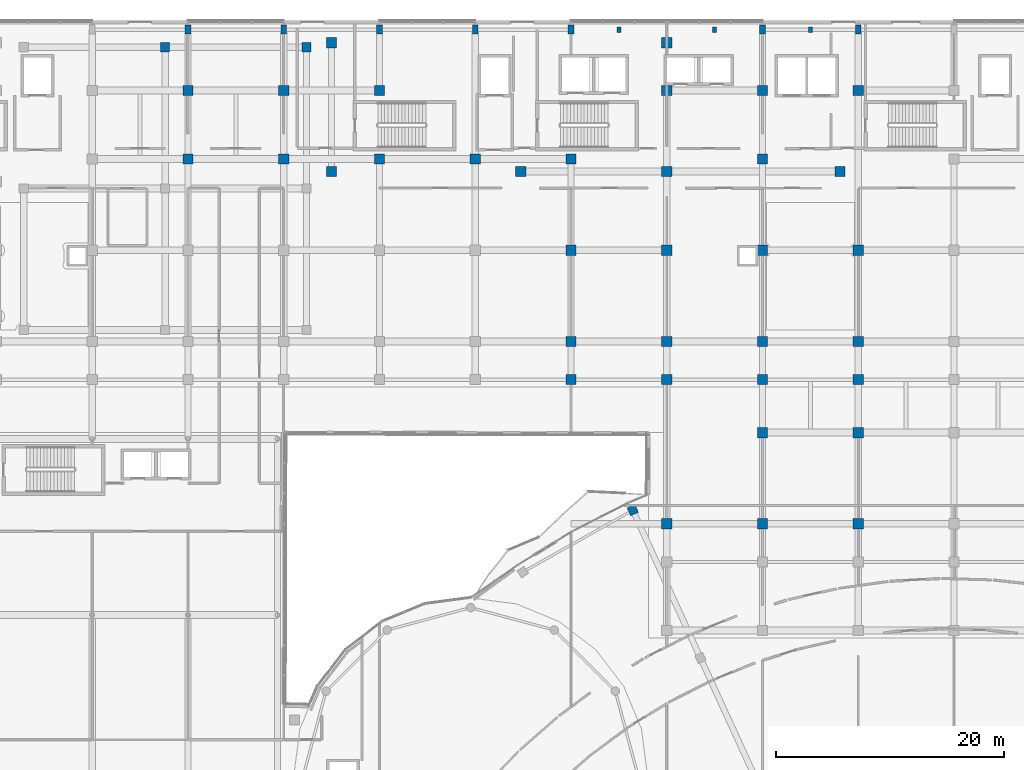
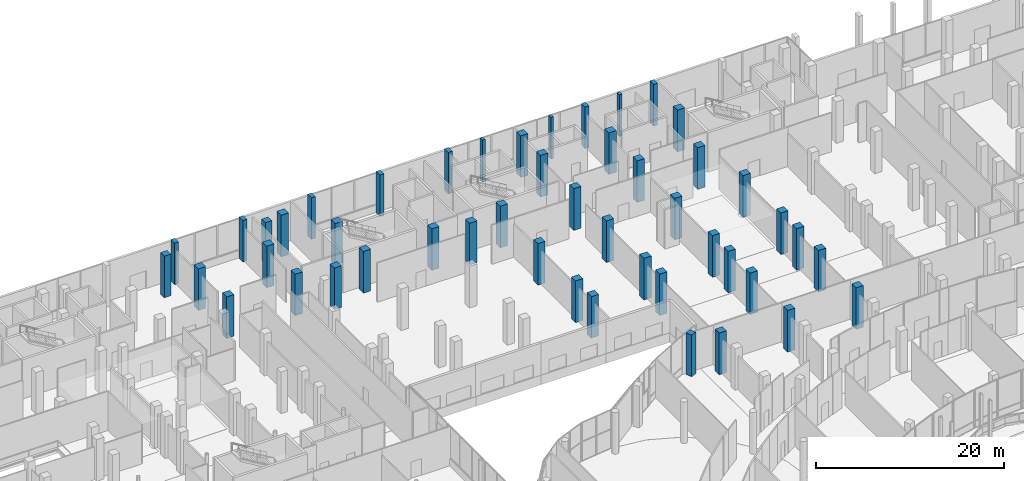
# One storey, part 12 of 158: 48 columns.
"""IFC4 building model written with IfcOpenShell, lengths in metres."""

from ifc_helpers import new_model, si_unit, direction, frame, origin, origin_2d, place, context, subcontext, project, spatial, rectangle, extrude, material, material_profile, profile_set, type_object, element, save


model = new_model("IFC4")

# Units and contexts
model_context = context("Model", 3, precision=1e-05, world=origin(), true_north=direction((0.0, 1.0)))
body_context = subcontext(model_context, "Body", "Model", "MODEL_VIEW")
ifc_project = project(units=[si_unit("LENGTHUNIT", "METRE"), si_unit("AREAUNIT", "SQUARE_METRE"), si_unit("VOLUMEUNIT", "CUBIC_METRE"), si_unit("PLANEANGLEUNIT", "RADIAN"), si_unit("MASSUNIT", "GRAM", prefix="KILO")], contexts=[model_context])

# Site, building, storey
site_placement = place(None, origin())
site = spatial("IfcSite", under=ifc_project, at=site_placement, CompositionType="ELEMENT")
building_placement = place(site_placement, origin())
building = spatial("IfcBuilding", under=site, at=building_placement, Name="Selatvlak General Hospital", CompositionType="ELEMENT")
storey_placement = place(building_placement, origin())
storey = spatial("IfcBuildingStorey", under=building, at=storey_placement, Name="L00", CompositionType="ELEMENT", Elevation=0.0)

# Columns
ifc_material_1 = material(Name="Concrete C40/50", Category="concrete")
ifc_material_profile_1 = material_profile(ifc_material_1, rectangle(XDim=0.35009765625, YDim=0.5, at=origin_2d()), Name="RC-PIL 500x350")
ifc_profile_set_1 = profile_set([ifc_material_profile_1], Name="Concrete C40/50")
column_type_1 = type_object("IfcColumnType", Name="COL-PIL50", PredefinedType="PILASTER", material=ifc_profile_set_1)
for number, where, z_axis, x_axis, name in (
    (1, (111.0, 119.35009765625, 0.0), (0.0, 0.0, 1.0), (1.0, 0.0, 0.0), "Inboard core pilaster 3 on L00"),
    (2, (119.39990234375, 119.35009765625, 0.0), (0.0, 0.0, 1.0), (1.0, 0.0, 0.0), "Inboard core pilaster 4 on L00"),
    (3, (127.800048828125, 119.35009765625, 0.0), (0.0, 0.0, 1.0), (1.0, 0.0, 0.0), "Inboard core pilaster 5 on L00"),
):
    element("IfcColumn", number, at=place(storey_placement, frame(where, z_axis=z_axis, x_axis=x_axis)), inside=storey, type_object=column_type_1, Name=name, PredefinedType="PILASTER", context=body_context, shape_type="SweptSolid", body=[
        extrude(rectangle(XDim=0.35009765625, YDim=0.5, at=origin_2d()), origin(), (0.0, 0.0, 1.0), 5.39990234375),
    ])
ifc_material_2 = material(Name="Concrete C50/60", Category="concrete")
ifc_material_profile_2 = material_profile(ifc_material_2, rectangle(XDim=0.75, YDim=0.75, at=origin_2d()), Name="RC-COL 750x750")
ifc_profile_set_2 = profile_set([ifc_material_profile_2], Name="Concrete C50/60")
column_type_2 = type_object("IfcColumnType", Name="COL-RC75", PredefinedType="COLUMN", material=ifc_profile_set_2)
column_placement = place(storey_placement, frame((112.221923828125, 77.195068359375, 0.0), z_axis=(0.0, 0.0, 1.0), x_axis=(-0.416201444857, 0.909272432937, 0.0)))
element("IfcColumn", 4, at=column_placement, inside=storey, type_object=column_type_2, Name="Column 342 on L00", PredefinedType="COLUMN", context=body_context, shape_type="SweptSolid", body=[
    extrude(rectangle(XDim=0.75, YDim=0.75, at=origin_2d()), origin(), (0.0, 0.0, 1.0), 5.39990234375),
])
ifc_material_profile_3 = material_profile(ifc_material_2, rectangle(XDim=0.800048828125, YDim=0.800048828125, at=origin_2d()), Name="RC-COL 800x800")
ifc_profile_set_3 = profile_set([ifc_material_profile_3], Name="Concrete C50/60")
column_type_3 = type_object("IfcColumnType", Name="COL-RC80", PredefinedType="COLUMN", material=ifc_profile_set_3)
for number, where, z_axis, x_axis, name in (
    (5, (71.199951171875, 117.800048828125, 0.0), (0.0, 0.0, 1.0), (1.0, 0.0, 0.0), "Column 042 on L00"),
    (6, (83.60009765625, 117.800048828125, 0.0), (0.0, 0.0, 1.0), (1.0, 0.0, 0.0), "Column 045 on L00"),
):
    element("IfcColumn", number, at=place(storey_placement, frame(where, z_axis=z_axis, x_axis=x_axis)), inside=storey, type_object=column_type_3, Name=name, PredefinedType="COLUMN", context=body_context, shape_type="SweptSolid", body=[
        extrude(rectangle(XDim=0.800048828125, YDim=0.800048828125, at=origin_2d()), origin(), (0.0, 0.0, 1.0), 5.39990234375),
    ])
ifc_material_profile_4 = material_profile(ifc_material_2, rectangle(XDim=0.5, YDim=0.800048828125, at=origin_2d()), Name="RC-COL 800x500")
ifc_profile_set_4 = profile_set([ifc_material_profile_4], Name="Concrete C50/60")
column_type_4 = type_object("IfcColumnType", Name="COL-RC85", PredefinedType="COLUMN", material=ifc_profile_set_4)
for number, where, z_axis, x_axis, name in (
    (7, (73.199951171875, 119.35009765625, 0.0), (0.0, 0.0, 1.0), (1.0, 0.0, 0.0), "Column 197 on L00"),
    (8, (81.60009765625, 119.35009765625, 0.0), (0.0, 0.0, 1.0), (1.0, 0.0, 0.0), "Column 206 on L00"),
    (9, (90.0, 119.35009765625, 0.0), (0.0, 0.0, 1.0), (1.0, 0.0, 0.0), "Column 215 on L00"),
    (10, (98.39990234375, 119.35009765625, 0.0), (0.0, 0.0, 1.0), (1.0, 0.0, 0.0), "Column 222 on L00"),
    (11, (106.800048828125, 119.35009765625, 0.0), (0.0, 0.0, 1.0), (1.0, 0.0, 0.0), "Column 228 on L00"),
    (12, (123.60009765625, 119.35009765625, 0.0), (0.0, 0.0, 1.0), (1.0, 0.0, 0.0), "Column 245 on L00"),
    (13, (132.0, 119.35009765625, 0.0), (0.0, 0.0, 1.0), (1.0, 0.0, 0.0), "Column 254 on L00"),
):
    element("IfcColumn", number, at=place(storey_placement, frame(where, z_axis=z_axis, x_axis=x_axis)), inside=storey, type_object=column_type_4, Name=name, PredefinedType="COLUMN", context=body_context, shape_type="SweptSolid", body=[
        extrude(rectangle(XDim=0.5, YDim=0.800048828125, at=origin_2d()), origin(), (0.0, 0.0, 1.0), 5.39990234375),
    ])
ifc_material_profile_5 = material_profile(ifc_material_2, rectangle(XDim=0.89990234375, YDim=0.89990234375, at=origin_2d()), Name="RC-COL 900x900")
ifc_profile_set_5 = profile_set([ifc_material_profile_5], Name="Concrete C50/60")
column_type_5 = type_object("IfcColumnType", Name="COL-RC90", PredefinedType="COLUMN", material=ifc_profile_set_5)
for number, where, z_axis, x_axis, name in (
    (14, (85.800048828125, 106.89990234375, 0.0), (0.0, 0.0, 1.0), (1.0, 0.0, 0.0), "Column 052 on L00"),
    (15, (102.39990234375, 106.89990234375, 0.0), (0.0, 0.0, 1.0), (1.0, 0.0, 0.0), "Column 053 on L00"),
    (16, (115.199951171875, 106.89990234375, 0.0), (0.0, 0.0, 1.0), (1.0, 0.0, 0.0), "Column 054 on L00"),
    (17, (130.39990234375, 106.89990234375, 0.0), (0.0, 0.0, 1.0), (1.0, 0.0, 0.0), "Column 055 on L00"),
    (18, (85.800048828125, 118.199951171875, 0.0), (0.0, 0.0, 1.0), (1.0, 0.0, 0.0), "Column 057 on L00"),
    (19, (115.199951171875, 118.199951171875, 0.0), (0.0, 0.0, 1.0), (1.0, 0.0, 0.0), "Column 058 on L00"),
    (20, (73.199951171875, 108.0, 0.0), (0.0, 0.0, 1.0), (1.0, 0.0, 0.0), "Column 195 on L00"),
    (21, (73.199951171875, 114.0, 0.0), (0.0, 0.0, 1.0), (1.0, 0.0, 0.0), "Column 196 on L00"),
    (22, (81.60009765625, 108.0, 0.0), (0.0, 0.0, 1.0), (1.0, 0.0, 0.0), "Column 204 on L00"),
    (23, (81.60009765625, 114.0, 0.0), (0.0, 0.0, 1.0), (1.0, 0.0, 0.0), "Column 205 on L00"),
    (24, (90.0, 108.0, 0.0), (0.0, 0.0, 1.0), (1.0, 0.0, 0.0), "Column 213 on L00"),
    (25, (90.0, 114.0, 0.0), (0.0, 0.0, 1.0), (1.0, 0.0, 0.0), "Column 214 on L00"),
    (26, (98.39990234375, 108.0, 0.0), (0.0, 0.0, 1.0), (1.0, 0.0, 0.0), "Column 221 on L00"),
    (27, (106.800048828125, 88.64990234375, 0.0), (0.0, 0.0, 1.0), (1.0, 0.0, 0.0), "Column 224 on L00"),
    (28, (106.800048828125, 92.0, 0.0), (0.0, 0.0, 1.0), (1.0, 0.0, 0.0), "Column 225 on L00"),
    (29, (106.800048828125, 100.0, 0.0), (0.0, 0.0, 1.0), (1.0, 0.0, 0.0), "Column 226 on L00"),
    (30, (106.800048828125, 108.0, 0.0), (0.0, 0.0, 1.0), (1.0, 0.0, 0.0), "Column 227 on L00"),
    (31, (115.199951171875, 76.0, 0.0), (0.0, 0.0, 1.0), (1.0, 0.0, 0.0), "Column 231 on L00"),
    (32, (115.199951171875, 88.64990234375, 0.0), (0.0, 0.0, 1.0), (1.0, 0.0, 0.0), "Column 232 on L00"),
    (33, (115.199951171875, 92.0, 0.0), (0.0, 0.0, 1.0), (1.0, 0.0, 0.0), "Column 233 on L00"),
    (34, (115.199951171875, 100.0, 0.0), (0.0, 0.0, 1.0), (1.0, 0.0, 0.0), "Column 234 on L00"),
    (35, (115.199951171875, 114.0, 0.0), (0.0, 0.0, 1.0), (1.0, 0.0, 0.0), "Column 235 on L00"),
    (36, (123.60009765625, 76.0, 0.0), (0.0, 0.0, 1.0), (1.0, 0.0, 0.0), "Column 238 on L00"),
    (37, (123.60009765625, 84.0, 0.0), (0.0, 0.0, 1.0), (1.0, 0.0, 0.0), "Column 239 on L00"),
    (38, (123.60009765625, 88.64990234375, 0.0), (0.0, 0.0, 1.0), (1.0, 0.0, 0.0), "Column 240 on L00"),
    (39, (123.60009765625, 92.0, 0.0), (0.0, 0.0, 1.0), (1.0, 0.0, 0.0), "Column 241 on L00"),
    (40, (123.60009765625, 100.0, 0.0), (0.0, 0.0, 1.0), (1.0, 0.0, 0.0), "Column 242 on L00"),
    (41, (123.60009765625, 108.0, 0.0), (0.0, 0.0, 1.0), (1.0, 0.0, 0.0), "Column 243 on L00"),
    (42, (123.60009765625, 114.0, 0.0), (0.0, 0.0, 1.0), (1.0, 0.0, 0.0), "Column 244 on L00"),
    (43, (132.0, 76.0, 0.0), (0.0, 0.0, 1.0), (1.0, 0.0, 0.0), "Column 248 on L00"),
    (44, (132.0, 84.0, 0.0), (0.0, 0.0, 1.0), (1.0, 0.0, 0.0), "Column 249 on L00"),
    (45, (132.0, 88.64990234375, 0.0), (0.0, 0.0, 1.0), (1.0, 0.0, 0.0), "Column 250 on L00"),
    (46, (132.0, 92.0, 0.0), (0.0, 0.0, 1.0), (1.0, 0.0, 0.0), "Column 251 on L00"),
    (47, (132.0, 100.0, 0.0), (0.0, 0.0, 1.0), (1.0, 0.0, 0.0), "Column 252 on L00"),
    (48, (132.0, 114.0, 0.0), (0.0, 0.0, 1.0), (1.0, 0.0, 0.0), "Column 253 on L00"),
):
    element("IfcColumn", number, at=place(storey_placement, frame(where, z_axis=z_axis, x_axis=x_axis)), inside=storey, type_object=column_type_5, Name=name, PredefinedType="COLUMN", context=body_context, shape_type="SweptSolid", body=[
        extrude(rectangle(XDim=0.89990234375, YDim=0.89990234375, at=origin_2d()), origin(), (0.0, 0.0, 1.0), 5.39990234375),
    ])

save(model, "model.ifc")
